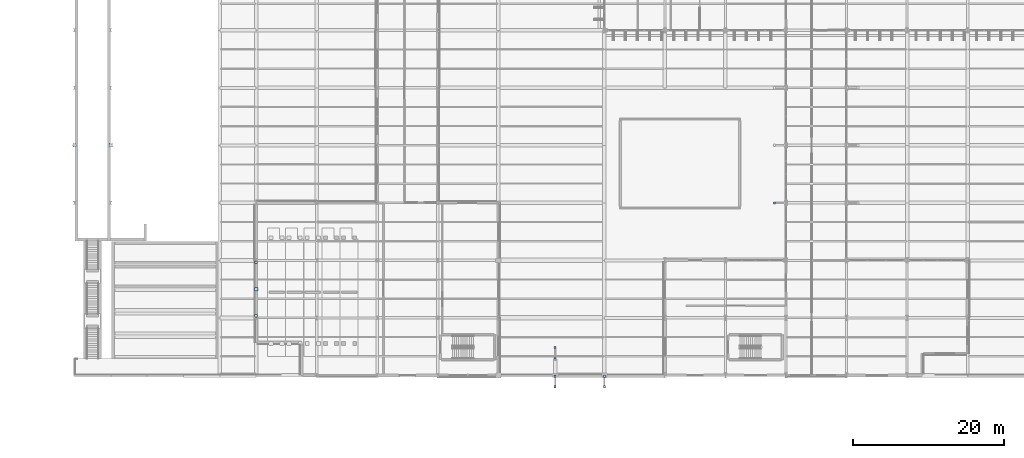
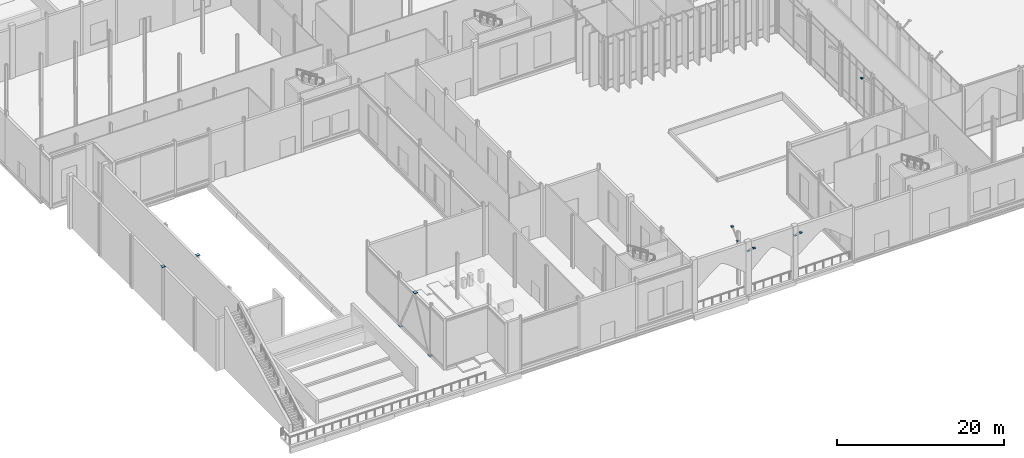
# One storey, part 127 of 176: 12 plates.
"""IFC4 building model written with IfcOpenShell, lengths in metres."""

import ifcopenshell
import ifcopenshell.guid

model = None  # the IFC model being written
_history = None  # IfcOwnerHistory: only IFC2X3 demands one
_inside = {}  # id of a spatial element -> (the spatial element, [elements in it])
_under = {}  # id of a project, library or spatial element -> (it, [spatial elements below it])
_declared = {}  # id of a project -> (the project, [libraries it declares])
_typed = {}  # id of a type object -> (the type object, [elements of that type])
_made_of = {}  # id of a material, layer set ... -> (it, [elements and type objects made of it])


def new_model(schema):
    """Start an empty IFC model of exactly this schema.

    Asked for "IFC4X3", IfcOpenShell would pick the latest addendum, in which some entities
    have other attributes; the version numbers below select the first issue.
    IFC2X3 requires an IfcOwnerHistory on every rooted entity: one is made here for all.
    """
    global model, _history
    if schema == "IFC4X3":
        model = ifcopenshell.file(schema_version=(4, 3, 0, 0))
    else:
        model = ifcopenshell.file(schema=schema)
    _inside.clear()
    _under.clear()
    _declared.clear()
    _typed.clear()
    _made_of.clear()
    _history = None
    if model.schema == "IFC2X3":
        org = make("IfcOrganization", Name="unknown")
        user = make(
            "IfcPersonAndOrganization",
            ThePerson=make("IfcPerson", FamilyName="unknown"),
            TheOrganization=org,
        )
        app = make(
            "IfcApplication",
            ApplicationDeveloper=org,
            Version="unknown",
            ApplicationFullName="unknown",
            ApplicationIdentifier="unknown",
        )
        _history = make(
            "IfcOwnerHistory",
            OwningUser=user,
            OwningApplication=app,
            ChangeAction="ADDED",
            CreationDate=0,
        )
    return model


def make(cls, **values):
    """One entity of the class cls with the attributes given. An attribute that is None is left unset."""
    return model.create_entity(
        cls, **{name: value for name, value in values.items() if value is not None}
    )


def rooted(cls, **values):
    """An entity with a GlobalId (a new one), such as an element, a storey or a relation."""
    return make(cls, GlobalId=ifcopenshell.guid.new(), OwnerHistory=_history, **values)


def si_unit(unit_type, name, prefix=None):
    """IfcSIUnit, for example si_unit("LENGTHUNIT", "METRE", prefix="MILLI")."""
    return make("IfcSIUnit", UnitType=unit_type, Prefix=prefix, Name=name)


def assignment(units):
    """IfcUnitAssignment: the units of a project."""
    return None if units is None else make("IfcUnitAssignment", Units=units)


def point(xyz):
    """IfcCartesianPoint."""
    return None if xyz is None else make("IfcCartesianPoint", Coordinates=xyz)


def direction(xyz):
    """IfcDirection."""
    return None if xyz is None else make("IfcDirection", DirectionRatios=xyz)


def frame(location, z_axis=None, x_axis=None):
    """IfcAxis2Placement3D, a coordinate frame: its origin and axes. An axis left out is left unset."""
    return make(
        "IfcAxis2Placement3D",
        Location=point(location),
        Axis=direction(z_axis),
        RefDirection=direction(x_axis),
    )


def frame_2d(location, x_axis=None):
    """IfcAxis2Placement2D, a coordinate frame in the plane: its origin and x axis."""
    return make(
        "IfcAxis2Placement2D", Location=point(location), RefDirection=direction(x_axis)
    )


def origin():
    """The frame at (0, 0, 0) with its axes left unset."""
    return frame((0.0, 0.0, 0.0))


def origin_2d():
    """The frame at (0, 0) in the plane with its x axis left unset."""
    return frame_2d((0.0, 0.0))


def place(relative_to, where):
    """IfcLocalPlacement: puts the frame where relative to a parent placement (None: the world)."""
    return make(
        "IfcLocalPlacement", PlacementRelTo=relative_to, RelativePlacement=where
    )


def context(
    kind, dimensions, precision=None, world=None, true_north=None, identifier=None
):
    """IfcGeometricRepresentationContext, for example the 3D "Model" context."""
    return make(
        "IfcGeometricRepresentationContext",
        ContextIdentifier=identifier,
        ContextType=kind,
        CoordinateSpaceDimension=dimensions,
        Precision=precision,
        WorldCoordinateSystem=world,
        TrueNorth=true_north,
    )


def subcontext(parent, identifier, kind, view, scale=None):
    """IfcGeometricRepresentationSubContext, for example "Body" below "Model"."""
    return make(
        "IfcGeometricRepresentationSubContext",
        ContextIdentifier=identifier,
        ContextType=kind,
        ParentContext=parent,
        TargetScale=scale,
        TargetView=view,
    )


def project(units=None, contexts=None):
    """IfcProject with its units and contexts."""
    return rooted(
        "IfcProject",
        Name="project",
        RepresentationContexts=contexts,
        UnitsInContext=assignment(units),
    )


def spatial(cls, under=None, at=None, **own):
    """A site, building, storey or space (cls), placed at a placement, below another one or the project."""
    s = rooted(cls, ObjectPlacement=at, **own)
    if under is not None:
        _under.setdefault(under.id(), (under, []))[1].append(s)
    return s


def profile(cls, at=None, kind="AREA", **sizes):
    """A parametric profile (cls). Its sizes go by their IFC names, for example OverallWidth=200.0."""
    return make(cls, ProfileType=kind, Position=at, **sizes)


def rectangle(**sizes):
    """IfcRectangleProfileDef."""
    return profile("IfcRectangleProfileDef", **sizes)


def extrude(swept, where, along, depth):
    """IfcExtrudedAreaSolid: the profile swept, set in the frame where, extruded along a direction by depth."""
    return make(
        "IfcExtrudedAreaSolid",
        SweptArea=swept,
        Position=where,
        ExtrudedDirection=direction(along),
        Depth=depth,
    )


def shape(context_of_items, identifier, shape_type, items):
    """IfcShapeRepresentation: the items that make up one representation, for example the "Body"."""
    return make(
        "IfcShapeRepresentation",
        ContextOfItems=context_of_items,
        RepresentationIdentifier=identifier,
        RepresentationType=shape_type,
        Items=items,
    )


def material(Name=None, Category=None):
    """IfcMaterial."""
    return make("IfcMaterial", Name=Name, Category=Category)


def layer(
    of_material, thickness, ventilated=None, Name=None, Category=None, Priority=None
):
    """IfcMaterialLayer: one layer of a wall or slab, of a material (None: an air gap)."""
    return make(
        "IfcMaterialLayer",
        Material=of_material,
        LayerThickness=thickness,
        IsVentilated=ventilated,
        Name=Name,
        Category=Category,
        Priority=Priority,
    )


def layer_set(layers, Name=None):
    """IfcMaterialLayerSet."""
    return make("IfcMaterialLayerSet", MaterialLayers=layers, LayerSetName=Name)


def made_of(thing, what):
    """Note that an element or type object is made of a material, layer set ...; save() writes the relation."""
    if what is not None:
        _made_of.setdefault(what.id(), (what, []))[1].append(thing)
    return thing


def type_object(cls, material=None, **own):
    """A type object (cls), such as IfcWallType, which elements share."""
    return made_of(rooted(cls, **own), material)


def element(
    cls,
    number,
    at=None,
    inside=None,
    cuts=None,
    type_object=None,
    material=None,
    context=None,
    identifier="Body",
    shape_type=None,
    held_by="IfcProductDefinitionShape",
    body=None,
    shapes=None,
    **own,
):
    """One element of the class cls, such as IfcWall. Its Tag is "e" and its number.

    at: its placement. inside: the storey or other place that contains it. cuts: it is an
    opening in that element (IfcRelVoidsElement). A single representation is given by context,
    identifier, shape_type and body (its items); several are given by shapes. held_by: the class
    of the entity that holds the representations. save() writes the other relations.
    """
    e = rooted(cls, Tag="e%d" % number, ObjectPlacement=at, **own)
    if body is not None:
        shapes = [shape(context, identifier, shape_type, body)]
    if shapes is not None:
        e.Representation = make(held_by, Representations=shapes)
    if inside is not None:
        _inside.setdefault(inside.id(), (inside, []))[1].append(e)
    if cuts is not None:
        rooted(
            "IfcRelVoidsElement", RelatingBuildingElement=cuts, RelatedOpeningElement=e
        )
    if type_object is not None:
        _typed.setdefault(type_object.id(), (type_object, []))[1].append(e)
    return made_of(e, material)


def aggregate(whole, parts):
    """IfcRelAggregates: a whole, such as a stair, and the parts it consists of."""
    return rooted("IfcRelAggregates", RelatingObject=whole, RelatedObjects=parts)


def save(model, path):
    """Write the relations noted so far, then the file.

    IfcRelAggregates (storeys below a building ...), IfcRelContainedInSpatialStructure (elements
    in a storey), IfcRelDefinesByType, IfcRelAssociatesMaterial and IfcRelDeclares: one each for
    every whole, place, type object, material and project.
    """
    for whole, parts in _under.values():
        aggregate(whole, parts)
    for where, things in _inside.values():
        rooted(
            "IfcRelContainedInSpatialStructure",
            RelatedElements=things,
            RelatingStructure=where,
        )
    for kind, things in _typed.values():
        rooted("IfcRelDefinesByType", RelatedObjects=things, RelatingType=kind)
    for what, things in _made_of.values():
        rooted("IfcRelAssociatesMaterial", RelatedObjects=things, RelatingMaterial=what)
    for by, libraries in _declared.values():
        rooted("IfcRelDeclares", RelatingContext=by, RelatedDefinitions=libraries)
    model.write(path)


model = new_model("IFC4")

# Units and contexts
model_context = context("Model", 3, precision=1e-05, world=origin(), true_north=direction((0.0, 1.0)))
body_context = subcontext(model_context, "Body", "Model", "MODEL_VIEW")
ifc_project = project(units=[si_unit("LENGTHUNIT", "METRE"), si_unit("AREAUNIT", "SQUARE_METRE"), si_unit("VOLUMEUNIT", "CUBIC_METRE"), si_unit("PLANEANGLEUNIT", "RADIAN"), si_unit("MASSUNIT", "GRAM", prefix="KILO")], contexts=[model_context])

# Site, building, storey
site_placement = place(None, origin())
site = spatial("IfcSite", under=ifc_project, at=site_placement, CompositionType="ELEMENT")
building_placement = place(site_placement, origin())
building = spatial("IfcBuilding", under=site, at=building_placement, Name="Vekula Escarpment Museum", CompositionType="ELEMENT")
storey_placement = place(building_placement, origin())
storey = spatial("IfcBuildingStorey", under=building, at=storey_placement, Name="L01", CompositionType="ELEMENT", Elevation=0.0)

# Plates
ifc_material_1 = material(Name="Steel S355", Category="steel")
ifc_layer_1 = layer(ifc_material_1, 0.01611328125)
ifc_layer_set_1 = layer_set([ifc_layer_1], Name="Steel S355")
plate_type_1 = type_object("IfcPlateType", Name="PL-CAP-16", PredefinedType="SHEET", material=ifc_layer_set_1)
for number, where, z_axis, x_axis, name in (
    (1, (63.5, -0.11474609375, 6.294189453125), (0.0, 0.0, 1.0), (1.0, 0.0, 0.0), "Hollow section end cap CP-16"),
    (2, (63.5, -1.50537109375, 7.563720703125), (0.0, 0.0, 1.0), (1.0, 0.0, 0.0), "Hollow section end cap CP-16"),
    (3, (63.5, 2.314697265625, 6.294189453125), (0.0, 0.0, 1.0), (1.0, 0.0, 0.0), "Hollow section end cap CP-16"),
    (4, (63.5, 3.705322265625, 7.563720703125), (0.0, 0.0, 1.0), (1.0, 0.0, 0.0), "Hollow section end cap CP-16"),
    (5, (70.0, -0.11474609375, 6.294189453125), (0.0, 0.0, 1.0), (1.0, 0.0, 0.0), "Hollow section end cap CP-16"),
    (6, (70.0, -1.50537109375, 7.563720703125), (0.0, 0.0, 1.0), (1.0, 0.0, 0.0), "Hollow section end cap CP-16"),
    (7, (92.49462890625, 22.800048828125, 7.563720703125), (0.0, 0.0, 1.0), (1.0, 0.0, 0.0), "Hollow section end cap CP-16"),
):
    element("IfcPlate", number, at=place(storey_placement, frame(where, z_axis=z_axis, x_axis=x_axis)), inside=storey, type_object=plate_type_1, Name=name, PredefinedType="SHEET", context=body_context, shape_type="SweptSolid", body=[
        extrude(rectangle(XDim=0.280029296875, YDim=0.280029296875, at=origin_2d()), origin(), (0.0, 0.0, 1.0), 0.10205078125),
    ])
ifc_material_2 = material(Name="Steel S355", Category="steel")
ifc_layer_2 = layer(ifc_material_2, 0.02001953125)
ifc_layer_set_2 = layer_set([ifc_layer_2], Name="Steel S355")
plate_type_2 = type_object("IfcPlateType", Name="PL-CAP-20", PredefinedType="SHEET", material=ifc_layer_set_2)
for number, where, z_axis, x_axis, name in (
    (8, (0.0, 30.39990234375, 7.798095703125), (0.0, 0.0, 1.0), (1.0, 0.0, 0.0), "Hollow section end cap CP-20"),
    (9, (4.800048828125, 30.39990234375, 7.798095703125), (0.0, 0.0, 1.0), (1.0, 0.0, 0.0), "Hollow section end cap CP-20"),
):
    element("IfcPlate", number, at=place(storey_placement, frame(where, z_axis=z_axis, x_axis=x_axis)), inside=storey, type_object=plate_type_2, Name=name, PredefinedType="SHEET", context=body_context, shape_type="SweptSolid", body=[
        extrude(rectangle(XDim=0.4462890625, YDim=0.4462890625, at=origin_2d()), origin(), (0.0, 0.0, 1.0), 0.02001953125),
    ])
ifc_material_3 = material(Name="Steel S355", Category="steel")
ifc_layer_3 = layer(ifc_material_3, 0.02392578125)
ifc_layer_set_3 = layer_set([ifc_layer_3], Name="Steel S355")
plate_type_3 = type_object("IfcPlateType", Name="PL-CAP-24", PredefinedType="SHEET", material=ifc_layer_set_3)
for number, where, z_axis, x_axis, name in (
    (10, (24.0, 7.84521484375, -0.0205078125), (0.0, 0.0, 1.0), (1.0, 0.0, 0.0), "Hollow section end cap CP-24"),
    (11, (24.0, 14.954833984375, -0.0205078125), (0.0, 0.0, 1.0), (1.0, 0.0, 0.0), "Hollow section end cap CP-24"),
):
    element("IfcPlate", number, at=place(storey_placement, frame(where, z_axis=z_axis, x_axis=x_axis)), inside=storey, type_object=plate_type_3, Name=name, PredefinedType="SHEET", context=body_context, shape_type="SweptSolid", body=[
        extrude(rectangle(XDim=0.3798828125, YDim=0.3798828125, at=origin_2d()), origin(), (0.0, 0.0, 1.0), 0.061767578125),
    ])
ifc_material_4 = material(Name="Steel S355", Category="steel")
ifc_layer_4 = layer(ifc_material_4, 0.0400390625)
ifc_layer_set_4 = layer_set([ifc_layer_4], Name="Steel S355")
plate_type_4 = type_object("IfcPlateType", Name="PL-CAP-40", PredefinedType="SHEET", material=ifc_layer_set_4)
plate_placement = place(storey_placement, frame((24.0, 11.39990234375, 7.097900390625), z_axis=(0.0, 0.0, 1.0), x_axis=(1.0, 0.0, 0.0)))
element("IfcPlate", 12, at=plate_placement, inside=storey, type_object=plate_type_4, Name="Hollow section end cap GP-40", PredefinedType="SHEET", context=body_context, shape_type="SweptSolid", body=[
    extrude(rectangle(XDim=0.4599609375, YDim=0.4599609375, at=origin_2d()), origin(), (0.0, 0.0, 1.0), 0.0400390625),
])

save(model, "model.ifc")
